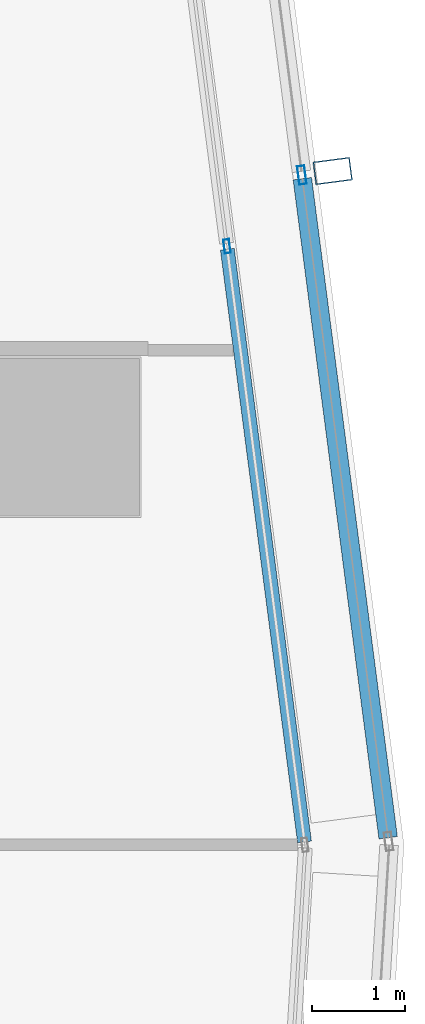
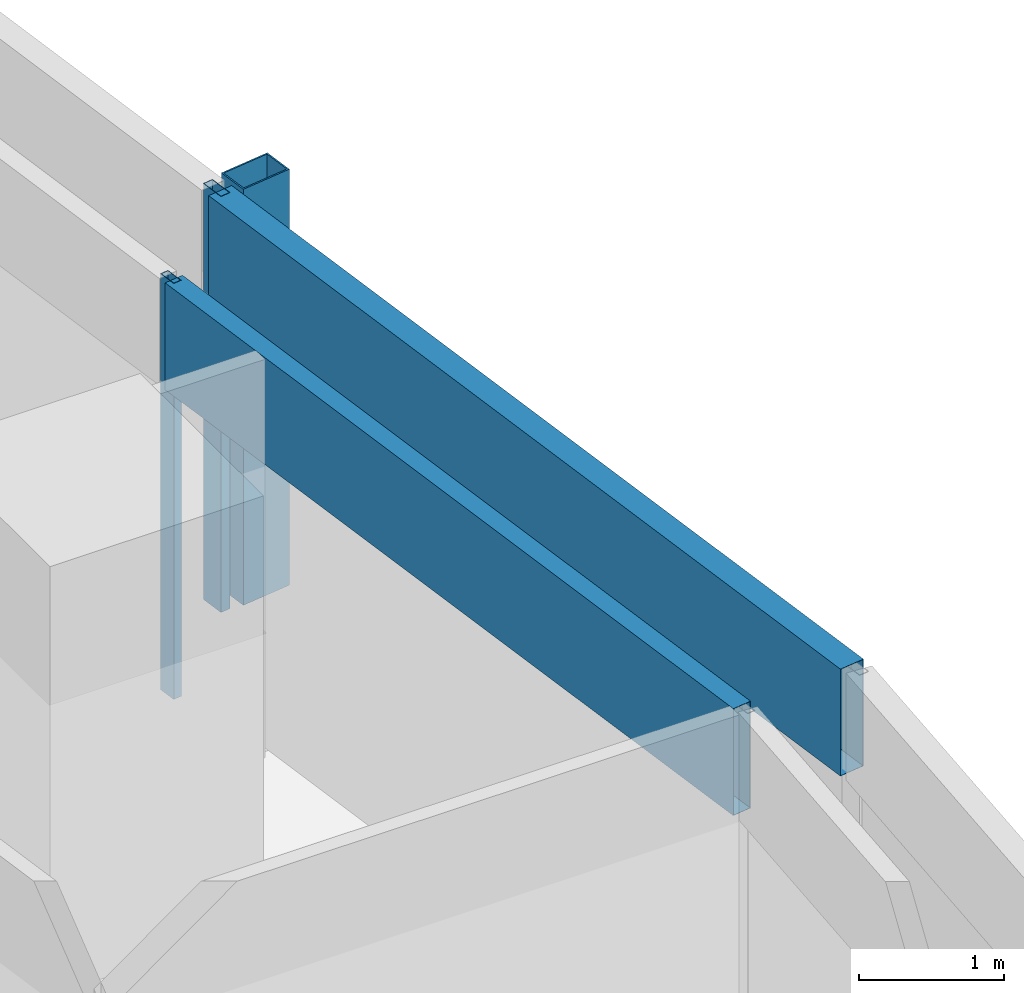
# One storey, part 26 of 40: 5 members, 2 elements without a shape of their own.
"""IFC4 building model written with IfcOpenShell, lengths in metres."""

from ifc_helpers import new_model, si_unit, direction, frame, origin, origin_2d, place, context, subcontext, project, spatial, hollow_rectangle, extrude, material, material_profile, profile_set, type_object, element, aggregate, save


model = new_model("IFC4")

# Units and contexts
model_context = context("Model", 3, precision=1e-05, world=origin(), true_north=direction((0.0, 1.0)))
body_context = subcontext(model_context, "Body", "Model", "MODEL_VIEW")
ifc_project = project(units=[si_unit("LENGTHUNIT", "METRE"), si_unit("AREAUNIT", "SQUARE_METRE"), si_unit("VOLUMEUNIT", "CUBIC_METRE"), si_unit("PLANEANGLEUNIT", "RADIAN"), si_unit("MASSUNIT", "GRAM", prefix="KILO")], contexts=[model_context])

# Site, building, storey
site_placement = place(None, origin())
site = spatial("IfcSite", under=ifc_project, at=site_placement, CompositionType="ELEMENT")
building_placement = place(site_placement, origin())
building = spatial("IfcBuilding", under=site, at=building_placement, Name="Rekha Terrace Tower", CompositionType="ELEMENT")
storey_placement = place(building_placement, frame((0.0, 0.0, 132.800048828125)))
storey = spatial("IfcBuildingStorey", under=building, at=storey_placement, Name="L33", CompositionType="ELEMENT", Elevation=132.800048828125)

# Curtain wall, member
ifc_material_1 = material(Name="Aluminium framing", Category="aluminium")
curtain_wall_type_1 = type_object("IfcCurtainWallType", Name="CW2 double skin outer glazing", PredefinedType="USERDEFINED", material=ifc_material_1)
curtain_wall_1_placement = place(storey_placement, origin())
curtain_wall_1 = element("IfcCurtainWall", 1, at=curtain_wall_1_placement, inside=storey, type_object=curtain_wall_type_1, Name="CW2 double skin outer glazing", ObjectType="DOUBLE SKIN OUTER GLAZING", PredefinedType="USERDEFINED")
ifc_material_2 = material(Name="Steel S355 with fluorocarbon finish", Category="steel")
ifc_material_profile_1 = material_profile(ifc_material_2, hollow_rectangle(XDim=0.25, YDim=0.39990234375, WallThickness=0.012451171875, at=origin_2d()), Name="RHS400x250x12.5")
ifc_profile_set_1 = profile_set([ifc_material_profile_1], Name="Steel S355 with fluorocarbon finish")
member_type_1 = type_object("IfcMemberType", Name="BL1 facade blade RHS 400 x 250", PredefinedType="USERDEFINED", material=ifc_profile_set_1)
member_1_placement = place(storey_placement, frame((70.131103515625, 53.2685546875, 0.0), z_axis=(0.0, 0.0, 1.0), x_axis=(-0.129119247945, 0.991629073702, 0.0)))
member_1 = element("IfcMember", 2, at=member_1_placement, type_object=member_type_1, Name="Facade blade", ObjectType="FACADE BLADE", PredefinedType="USERDEFINED", context=body_context, shape_type="SweptSolid", body=[
    extrude(hollow_rectangle(XDim=0.25, YDim=0.39990234375, WallThickness=0.012451171875, at=origin_2d()), origin(), (0.0, 0.0, 1.0), 3.5),
])

# Curtain wall, members
curtain_wall_type_2 = type_object("IfcCurtainWallType", Name="CW1 double skin inner glazing", PredefinedType="USERDEFINED", material=ifc_material_1)
curtain_wall_2_placement = place(storey_placement, origin())
curtain_wall_2 = element("IfcCurtainWall", 3, at=curtain_wall_2_placement, inside=storey, type_object=curtain_wall_type_2, Name="CW1 double skin inner glazing", ObjectType="DOUBLE SKIN INNER GLAZING", PredefinedType="USERDEFINED")
ifc_material_3 = material(Name="Aluminium mullion section", Category="aluminium")
ifc_material_profile_2 = material_profile(ifc_material_3, hollow_rectangle(XDim=0.06494140625, YDim=0.14990234375, WallThickness=0.00390625, at=origin_2d()), Name="AL RHS 65x150")
ifc_profile_set_2 = profile_set([ifc_material_profile_2], Name="Aluminium mullion section")
member_type_2 = type_object("IfcMemberType", Name="CW1 mullion RHS 65 x 150", PredefinedType="MULLION", material=ifc_profile_set_2)
member_2_placement = place(storey_placement, frame((68.9912109375, 52.45751953125, 0.0), z_axis=(0.0, 0.0, 1.0), x_axis=(-0.991629186237, -0.129118383675, 0.0)))
member_2 = element("IfcMember", 4, at=member_2_placement, type_object=member_type_2, Name="CW1 mullion 2", PredefinedType="MULLION", context=body_context, shape_type="SweptSolid", body=[
    extrude(hollow_rectangle(XDim=0.06494140625, YDim=0.14990234375, WallThickness=0.00390625, at=origin_2d()), origin(), (0.0, 0.0, 1.0), 3.5),
])
ifc_material_4 = material(Name="Insulated aluminium spandrel box", Category="aluminium")
ifc_material_profile_3 = material_profile(ifc_material_4, hollow_rectangle(XDim=0.14990234375, YDim=0.89990234375, WallThickness=0.0029296875, at=origin_2d()), Name="AL SPANDREL BOX 150x900")
ifc_profile_set_3 = profile_set([ifc_material_profile_3], Name="Insulated aluminium spandrel box")
member_type_3 = type_object("IfcMemberType", Name="CW1 spandrel transom 150 x 900", PredefinedType="USERDEFINED", material=ifc_profile_set_3)
member_3_placement = place(storey_placement, frame((69.827392578125, 46.0361328125, 3.050048828125), z_axis=(-0.129135072997, 0.991627013005, 0.0), x_axis=(-0.991627013005, -0.129135072997, 0.0)))
member_3 = element("IfcMember", 5, at=member_3_placement, type_object=member_type_3, Name="CW1 spandrel transom 1", ObjectType="TRANSOM", PredefinedType="USERDEFINED", context=body_context, shape_type="SweptSolid", body=[
    extrude(hollow_rectangle(XDim=0.14990234375, YDim=0.89990234375, WallThickness=0.0029296875, at=origin_2d()), origin(), (0.0, 0.0, 1.0), 6.443115234375),
])
aggregate(curtain_wall_2, [member_2, member_3])

# Member
ifc_material_profile_4 = material_profile(ifc_material_3, hollow_rectangle(XDim=0.080078125, YDim=0.199951171875, WallThickness=0.00390625, at=origin_2d()), Name="AL RHS 80x200")
ifc_profile_set_4 = profile_set([ifc_material_profile_4], Name="Aluminium mullion section")
member_type_4 = type_object("IfcMemberType", Name="CW2 mullion RHS 80 x 200", PredefinedType="MULLION", material=ifc_profile_set_4)
member_4_placement = place(storey_placement, frame((69.798828125, 53.225341796875, 0.0), z_axis=(0.0, 0.0, 1.0), x_axis=(-0.991629186244, -0.129118383623, 0.0)))
member_4 = element("IfcMember", 6, at=member_4_placement, type_object=member_type_4, Name="CW2 mullion 2", PredefinedType="MULLION", context=body_context, shape_type="SweptSolid", body=[
    extrude(hollow_rectangle(XDim=0.080078125, YDim=0.199951171875, WallThickness=0.00390625, at=origin_2d()), origin(), (0.0, 0.0, 1.0), 3.5),
])

ifc_material_profile_5 = material_profile(ifc_material_4, hollow_rectangle(XDim=0.199951171875, YDim=0.89990234375, WallThickness=0.0029296875, at=origin_2d()), Name="AL SPANDREL BOX 200x900")
ifc_profile_set_5 = profile_set([ifc_material_profile_5], Name="Insulated aluminium spandrel box")
member_type_5 = type_object("IfcMemberType", Name="CW2 spandrel transom 200 x 900", PredefinedType="USERDEFINED", material=ifc_profile_set_5)
member_5_placement = place(storey_placement, frame((70.72900390625, 46.081787109375, 3.050048828125), z_axis=(-0.129125015962, 0.991628322635, 0.0), x_axis=(-0.991628322635, -0.129125015962, 0.0)))
member_5 = element("IfcMember", 7, at=member_5_placement, type_object=member_type_5, Name="CW2 spandrel transom 1", ObjectType="TRANSOM", PredefinedType="USERDEFINED", context=body_context, shape_type="SweptSolid", body=[
    extrude(hollow_rectangle(XDim=0.199951171875, YDim=0.89990234375, WallThickness=0.0029296875, at=origin_2d()), origin(), (0.0, 0.0, 1.0), 7.1640625),
])

aggregate(curtain_wall_1, [member_4, member_5, member_1])

save(model, "model.ifc")
